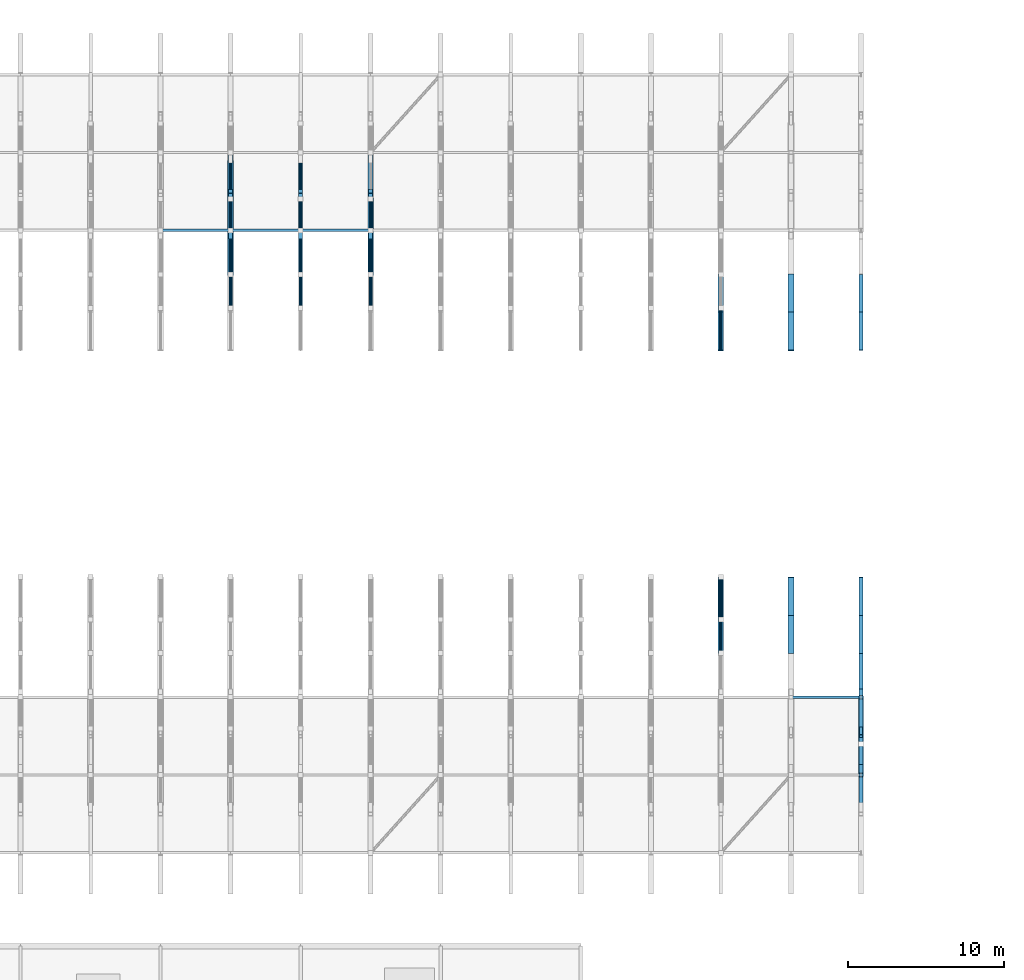
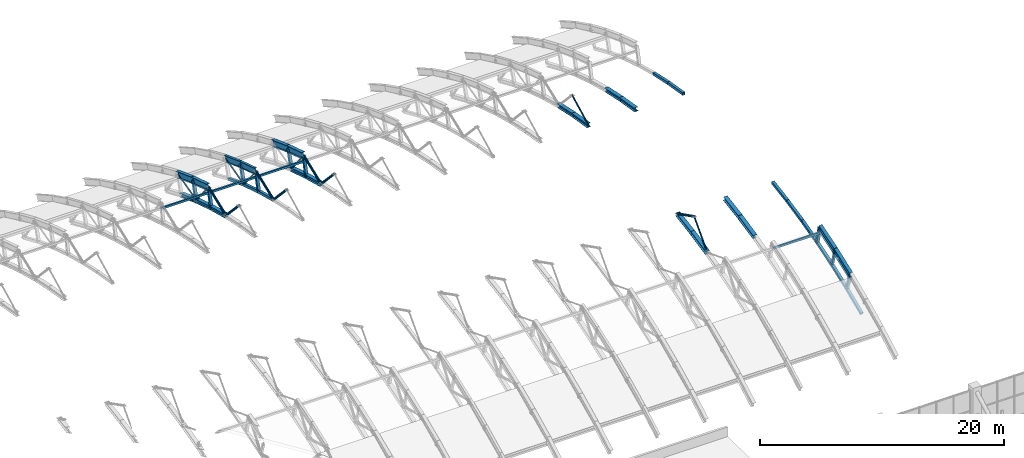
# One storey, part 68 of 103: 51 members, 8 beams.
"""IFC4 building model written with IfcOpenShell, lengths in metres."""

from ifc_helpers import new_model, si_unit, direction, frame, origin, origin_2d, place, context, subcontext, project, spatial, hollow_rectangle, hollow_circle, i_section, extrude, material, material_profile, profile_set, type_object, element, save


model = new_model("IFC4")

# Units and contexts
model_context = context("Model", 3, precision=1e-05, world=origin(), true_north=direction((0.0, 1.0)))
body_context = subcontext(model_context, "Body", "Model", "MODEL_VIEW")
ifc_project = project(units=[si_unit("LENGTHUNIT", "METRE"), si_unit("AREAUNIT", "SQUARE_METRE"), si_unit("VOLUMEUNIT", "CUBIC_METRE"), si_unit("PLANEANGLEUNIT", "RADIAN"), si_unit("MASSUNIT", "GRAM", prefix="KILO")], contexts=[model_context])

# Site, building, storey
site_placement = place(None, origin())
site = spatial("IfcSite", under=ifc_project, at=site_placement, CompositionType="ELEMENT")
building_placement = place(site_placement, origin())
building = spatial("IfcBuilding", under=site, at=building_placement, Name="Cazmaro Siding Exhibition Halls", CompositionType="ELEMENT")
storey_placement = place(building_placement, frame((0.0, 0.0, 16.5)))
storey = spatial("IfcBuildingStorey", under=building, at=storey_placement, Name="L03", CompositionType="ELEMENT", Elevation=16.5)

# Beams
ifc_material_1 = material(Name="Steel ASTM A992 Grade 50", Category="steel")
ifc_material_profile_1 = material_profile(ifc_material_1, i_section(OverallWidth=0.327880859375, OverallDepth=0.626953125, WebThickness=0.01708984375, FlangeThickness=0.028076171875, at=origin_2d()), Name="W24X146")
ifc_profile_set_1 = profile_set([ifc_material_profile_1], Name="Steel ASTM A992 Grade 50")
beam_type_1 = type_object("IfcBeamType", Name="AR-01", PredefinedType="USERDEFINED", material=ifc_profile_set_1)
beam_1_placement = place(storey_placement, frame((139.5, 109.0, 4.85498046875), z_axis=(0.0, 0.952769241759, -0.303695195811), x_axis=(-1.0, 0.0, 0.0)))
element("IfcBeam", 1, at=beam_1_placement, inside=storey, type_object=beam_type_1, Name="Space frame barrel vault arched rib AR-01 BM-1057", ObjectType="ARCHED RIB", PredefinedType="USERDEFINED", context=body_context, shape_type="SweptSolid", body=[
    extrude(i_section(OverallWidth=0.327880859375, OverallDepth=0.626953125, WebThickness=0.01708984375, FlangeThickness=0.028076171875, at=origin_2d()), origin(), (0.0, 0.0, 1.0), 2.6240234375),
])
beam_2_placement = place(storey_placement, frame((139.5, 111.5, 4.05810546875), z_axis=(0.0, 0.936509460339, -0.350642311615), x_axis=(-1.0, 0.0, 0.0)))
element("IfcBeam", 2, at=beam_2_placement, inside=storey, type_object=beam_type_1, Name="Space frame barrel vault arched rib AR-01 BM-1058", ObjectType="ARCHED RIB", PredefinedType="USERDEFINED", context=body_context, shape_type="SweptSolid", body=[
    extrude(i_section(OverallWidth=0.327880859375, OverallDepth=0.626953125, WebThickness=0.01708984375, FlangeThickness=0.028076171875, at=origin_2d()), origin(), (0.0, 0.0, 1.0), 2.66943359375),
])
ifc_material_2 = material(Name="Steel ASTM A992 Grade 50", Category="steel")
ifc_material_profile_2 = material_profile(ifc_material_2, i_section(OverallWidth=0.324951171875, OverallDepth=0.612060546875, WebThickness=0.012939453125, FlangeThickness=0.01904296875, at=origin_2d()), Name="W24X104")
ifc_profile_set_2 = profile_set([ifc_material_profile_2], Name="Steel ASTM A992 Grade 50")
beam_type_2 = type_object("IfcBeamType", Name="AR-02", PredefinedType="USERDEFINED", material=ifc_profile_set_2)
beam_3_placement = place(storey_placement, frame((130.5, 109.0, 4.85498046875), z_axis=(0.0, 0.952769241759, -0.303695195811), x_axis=(-1.0, 0.0, 0.0)))
element("IfcBeam", 3, at=beam_3_placement, inside=storey, type_object=beam_type_2, Name="Space frame barrel vault arched rib AR-02 BM-1009", ObjectType="ARCHED RIB", PredefinedType="USERDEFINED", context=body_context, shape_type="SweptSolid", body=[
    extrude(i_section(OverallWidth=0.324951171875, OverallDepth=0.612060546875, WebThickness=0.012939453125, FlangeThickness=0.01904296875, at=origin_2d()), origin(), (0.0, 0.0, 1.0), 2.6240234375),
])
for number, where, z_axis, x_axis, name in (
    (4, (130.5, 111.5, 4.05810546875), (0.0, 0.936509460339, -0.350642311615), (-1.0, 0.0, 0.0), "Space frame barrel vault arched rib AR-02 BM-1010"),
    (5, (171.0, 74.0, 3.1220703125), (0.0, 0.936509460339, 0.350642311615), (-1.0, 0.0, 0.0), "Space frame barrel vault arched rib AR-02 BM-1211"),
):
    element("IfcBeam", number, at=place(storey_placement, frame(where, z_axis=z_axis, x_axis=x_axis)), inside=storey, type_object=beam_type_2, Name=name, ObjectType="ARCHED RIB", PredefinedType="USERDEFINED", context=body_context, shape_type="SweptSolid", body=[
        extrude(i_section(OverallWidth=0.324951171875, OverallDepth=0.612060546875, WebThickness=0.012939453125, FlangeThickness=0.01904296875, at=origin_2d()), origin(), (0.0, 0.0, 1.0), 2.66943359375),
    ])
beam_4_placement = place(storey_placement, frame((171.0, 76.5, 4.05810546875), z_axis=(0.0, 0.952769241759, 0.303695195811), x_axis=(-1.0, 0.0, 0.0)))
element("IfcBeam", 6, at=beam_4_placement, inside=storey, type_object=beam_type_2, Name="Space frame barrel vault arched rib AR-02 BM-1212", ObjectType="ARCHED RIB", PredefinedType="USERDEFINED", context=body_context, shape_type="SweptSolid", body=[
    extrude(i_section(OverallWidth=0.324951171875, OverallDepth=0.612060546875, WebThickness=0.012939453125, FlangeThickness=0.01904296875, at=origin_2d()), origin(), (0.0, 0.0, 1.0), 2.6240234375),
])
ifc_material_3 = material(Name="Steel ASTM A992 Grade 50", Category="steel")
ifc_material_profile_3 = material_profile(ifc_material_3, i_section(OverallWidth=0.22900390625, OverallDepth=0.612060546875, WebThickness=0.011962890625, FlangeThickness=0.02001953125, at=origin_2d()), Name="W24X84")
ifc_profile_set_3 = profile_set([ifc_material_profile_3], Name="Steel ASTM A992 Grade 50")
beam_type_3 = type_object("IfcBeamType", Name="AR-03", PredefinedType="USERDEFINED", material=ifc_profile_set_3)
beam_5_placement = place(storey_placement, frame((135.0, 109.0, 4.85498046875), z_axis=(0.0, 0.952769241759, -0.303695195811), x_axis=(-1.0, 0.0, 0.0)))
element("IfcBeam", 7, at=beam_5_placement, inside=storey, type_object=beam_type_3, Name="Space frame barrel vault arched rib AR-03 BM-1033", ObjectType="ARCHED RIB", PredefinedType="USERDEFINED", context=body_context, shape_type="SweptSolid", body=[
    extrude(i_section(OverallWidth=0.22900390625, OverallDepth=0.612060546875, WebThickness=0.011962890625, FlangeThickness=0.02001953125, at=origin_2d()), origin(), (0.0, 0.0, 1.0), 2.6240234375),
])
beam_6_placement = place(storey_placement, frame((135.0, 111.5, 4.05810546875), z_axis=(0.0, 0.936509460339, -0.350642311615), x_axis=(-1.0, 0.0, 0.0)))
element("IfcBeam", 8, at=beam_6_placement, inside=storey, type_object=beam_type_3, Name="Space frame barrel vault arched rib AR-03 BM-1034", ObjectType="ARCHED RIB", PredefinedType="USERDEFINED", context=body_context, shape_type="SweptSolid", body=[
    extrude(i_section(OverallWidth=0.22900390625, OverallDepth=0.612060546875, WebThickness=0.011962890625, FlangeThickness=0.02001953125, at=origin_2d()), origin(), (0.0, 0.0, 1.0), 2.66943359375),
])

# Members
ifc_material_4 = material(Name="Steel ASTM A500 Grade C", Category="steel")
ifc_material_profile_4 = material_profile(ifc_material_4, hollow_rectangle(XDim=0.152099609375, YDim=0.202880859375, WallThickness=0.011962890625, at=origin_2d()), Name="HSS8X6X1/2")
ifc_profile_set_4 = profile_set([ifc_material_profile_4], Name="Steel ASTM A500 Grade C")
member_type_1 = type_object("IfcMemberType", Name="RP-01", PredefinedType="PURLIN", material=ifc_profile_set_4)
for number, where, z_axis, x_axis, name in (
    (9, (126.0, 109.0, 4.31494140625), (1.0, 0.0, 0.0), (0.0, 1.0, 0.0), "Space frame barrel vault purlin RP-01 MEM-2188"),
    (10, (130.5, 109.0, 4.31494140625), (1.0, 0.0, 0.0), (0.0, 1.0, 0.0), "Space frame barrel vault purlin RP-01 MEM-2199"),
    (11, (135.0, 109.0, 4.31494140625), (1.0, 0.0, 0.0), (0.0, 1.0, 0.0), "Space frame barrel vault purlin RP-01 MEM-2210"),
    (12, (166.5, 79.0, 4.31494140625), (1.0, 0.0, 0.0), (0.0, 1.0, 0.0), "Space frame barrel vault purlin RP-01 MEM-2293"),
):
    element("IfcMember", number, at=place(storey_placement, frame(where, z_axis=z_axis, x_axis=x_axis)), inside=storey, type_object=member_type_1, Name=name, PredefinedType="PURLIN", context=body_context, shape_type="SweptSolid", body=[
        extrude(hollow_rectangle(XDim=0.152099609375, YDim=0.202880859375, WallThickness=0.011962890625, at=origin_2d()), origin(), (0.0, 0.0, 1.0), 4.5),
    ])
ifc_material_5 = material(Name="Steel ASTM A500 Grade C", Category="steel")
ifc_material_profile_5 = material_profile(ifc_material_5, hollow_rectangle(XDim=0.25390625, YDim=0.25390625, WallThickness=0.014892578125, at=origin_2d()), Name="HSS10X10X5/8")
ifc_profile_set_5 = profile_set([ifc_material_profile_5], Name="Steel ASTM A500 Grade C")
member_type_2 = type_object("IfcMemberType", Name="TC-01", PredefinedType="CHORD", material=ifc_profile_set_5)
member_1_placement = place(storey_placement, frame((135.0, 106.14990234375, 3.760986328125), z_axis=(0.0, 0.966437683387, -0.256901156343), x_axis=(-1.0, 0.0, 0.0)))
element("IfcMember", 13, at=member_1_placement, inside=storey, type_object=member_type_2, Name="Space frame barrel vault bottom chord TC-01 MEM-1407", PredefinedType="CHORD", context=body_context, shape_type="SweptSolid", body=[
    extrude(hollow_rectangle(XDim=0.25390625, YDim=0.25390625, WallThickness=0.014892578125, at=origin_2d()), origin(), (0.0, 0.0, 1.0), 2.5146484375),
])
member_2_placement = place(storey_placement, frame((135.0, 108.580078125, 3.114990234375), z_axis=(0.0, 0.952692842525, -0.303934775573), x_axis=(-1.0, 0.0, 0.0)))
element("IfcMember", 14, at=member_2_placement, inside=storey, type_object=member_type_2, Name="Space frame barrel vault bottom chord TC-01 MEM-1409", PredefinedType="CHORD", context=body_context, shape_type="SweptSolid", body=[
    extrude(hollow_rectangle(XDim=0.25390625, YDim=0.25390625, WallThickness=0.014892578125, at=origin_2d()), origin(), (0.0, 0.0, 1.0), 2.549560546875),
])
member_3_placement = place(storey_placement, frame((135.0, 111.009033203125, 2.340087890625), z_axis=(0.0, 0.936588022869, -0.350432412053), x_axis=(-1.0, 0.0, 0.0)))
element("IfcMember", 15, at=member_3_placement, inside=storey, type_object=member_type_2, Name="Space frame barrel vault bottom chord TC-01 MEM-1411", PredefinedType="CHORD", context=body_context, shape_type="SweptSolid", body=[
    extrude(hollow_rectangle(XDim=0.25390625, YDim=0.25390625, WallThickness=0.014892578125, at=origin_2d()), origin(), (0.0, 0.0, 1.0), 2.594482421875),
])
member_4_placement = place(storey_placement, frame((171.0, 72.131103515625, 0.37890625), z_axis=(0.0, 0.917689003843, 0.397299499403), x_axis=(-1.0, 0.0, 0.0)))
element("IfcMember", 16, at=member_4_placement, inside=storey, type_object=member_type_2, Name="Space frame barrel vault bottom chord TC-01 MEM-1920", PredefinedType="CHORD", context=body_context, shape_type="SweptSolid", body=[
    extrude(hollow_rectangle(XDim=0.25390625, YDim=0.25390625, WallThickness=0.014892578125, at=origin_2d()), origin(), (0.0, 0.0, 1.0), 2.64794921875),
])
member_5_placement = place(storey_placement, frame((171.0, 74.56103515625, 1.430908203125), z_axis=(0.0, 0.936588022869, 0.350432412053), x_axis=(-1.0, 0.0, 0.0)))
element("IfcMember", 17, at=member_5_placement, inside=storey, type_object=member_type_2, Name="Space frame barrel vault bottom chord TC-01 MEM-1921", PredefinedType="CHORD", context=body_context, shape_type="SweptSolid", body=[
    extrude(hollow_rectangle(XDim=0.25390625, YDim=0.25390625, WallThickness=0.014892578125, at=origin_2d()), origin(), (0.0, 0.0, 1.0), 2.594482421875),
])
member_6_placement = place(storey_placement, frame((171.0, 76.990966796875, 2.340087890625), z_axis=(0.0, 0.952692842525, 0.303934775573), x_axis=(-1.0, 0.0, 0.0)))
element("IfcMember", 18, at=member_6_placement, inside=storey, type_object=member_type_2, Name="Space frame barrel vault bottom chord TC-01 MEM-1922", PredefinedType="CHORD", context=body_context, shape_type="SweptSolid", body=[
    extrude(hollow_rectangle(XDim=0.25390625, YDim=0.25390625, WallThickness=0.014892578125, at=origin_2d()), origin(), (0.0, 0.0, 1.0), 2.549560546875),
])
member_7_placement = place(storey_placement, frame((171.0, 79.419921875, 3.114990234375), z_axis=(0.0, 0.966437683387, 0.256901156343), x_axis=(-1.0, 0.0, 0.0)))
element("IfcMember", 19, at=member_7_placement, inside=storey, type_object=member_type_2, Name="Space frame barrel vault bottom chord TC-01 MEM-1923", PredefinedType="CHORD", context=body_context, shape_type="SweptSolid", body=[
    extrude(hollow_rectangle(XDim=0.25390625, YDim=0.25390625, WallThickness=0.014892578125, at=origin_2d()), origin(), (0.0, 0.0, 1.0), 2.5146484375),
])
member_8_placement = place(storey_placement, frame((171.0, 81.85009765625, 3.760986328125), z_axis=(0.0, 0.977697351532, 0.210018782033), x_axis=(-1.0, 0.0, 0.0)))
element("IfcMember", 20, at=member_8_placement, inside=storey, type_object=member_type_2, Name="Space frame barrel vault bottom chord TC-01 MEM-1924", PredefinedType="CHORD", context=body_context, shape_type="SweptSolid", body=[
    extrude(hollow_rectangle(XDim=0.25390625, YDim=0.25390625, WallThickness=0.014892578125, at=origin_2d()), origin(), (0.0, 0.0, 1.0), 2.4853515625),
])
for number, where, z_axis, x_axis, name in (
    (21, (171.0, 84.280029296875, 4.282958984375), (0.0, 0.986455464336, 0.164029317138), (-1.0, 0.0, 0.0), "Space frame barrel vault bottom chord TC-01 MEM-1925"),
    (22, (171.0, 101.2900390625, 4.68701171875), (0.0, 0.986455464336, -0.164029317138), (-1.0, 0.0, 0.0), "Space frame barrel vault bottom chord TC-01 MEM-1932"),
):
    element("IfcMember", number, at=place(storey_placement, frame(where, z_axis=z_axis, x_axis=x_axis)), inside=storey, type_object=member_type_2, Name=name, PredefinedType="CHORD", context=body_context, shape_type="SweptSolid", body=[
        extrude(hollow_rectangle(XDim=0.25390625, YDim=0.25390625, WallThickness=0.014892578125, at=origin_2d()), origin(), (0.0, 0.0, 1.0), 2.46337890625),
    ])
member_9_placement = place(storey_placement, frame((171.0, 103.719970703125, 4.282958984375), z_axis=(0.0, 0.977697351532, -0.210018782033), x_axis=(-1.0, 0.0, 0.0)))
element("IfcMember", 23, at=member_9_placement, inside=storey, type_object=member_type_2, Name="Space frame barrel vault bottom chord TC-01 MEM-1933", PredefinedType="CHORD", context=body_context, shape_type="SweptSolid", body=[
    extrude(hollow_rectangle(XDim=0.25390625, YDim=0.25390625, WallThickness=0.014892578125, at=origin_2d()), origin(), (0.0, 0.0, 1.0), 2.4853515625),
])
ifc_material_6 = material(Name="Steel ASTM A992 Grade 50", Category="steel")
ifc_material_profile_6 = material_profile(ifc_material_6, i_section(OverallWidth=0.37109375, OverallDepth=0.364013671875, WebThickness=0.012939453125, FlangeThickness=0.02197265625, at=origin_2d()), Name="W14X109")
ifc_profile_set_6 = profile_set([ifc_material_profile_6], Name="Steel ASTM A992 Grade 50")
member_type_3 = type_object("IfcMemberType", Name="TC-06", PredefinedType="CHORD", material=ifc_profile_set_6)
member_10_placement = place(storey_placement, frame((130.5, 106.14990234375, 3.760986328125), z_axis=(0.0, 0.966437683387, -0.256901156343), x_axis=(-1.0, 0.0, 0.0)))
element("IfcMember", 24, at=member_10_placement, inside=storey, type_object=member_type_3, Name="Space frame barrel vault bottom chord TC-06 MEM-1336", PredefinedType="CHORD", context=body_context, shape_type="SweptSolid", body=[
    extrude(i_section(OverallWidth=0.37109375, OverallDepth=0.364013671875, WebThickness=0.012939453125, FlangeThickness=0.02197265625, at=origin_2d()), origin(), (0.0, 0.0, 1.0), 2.5146484375),
])
member_11_placement = place(storey_placement, frame((130.5, 108.580078125, 3.114990234375), z_axis=(0.0, 0.952692842525, -0.303934775573), x_axis=(-1.0, 0.0, 0.0)))
element("IfcMember", 25, at=member_11_placement, inside=storey, type_object=member_type_3, Name="Space frame barrel vault bottom chord TC-06 MEM-1338", PredefinedType="CHORD", context=body_context, shape_type="SweptSolid", body=[
    extrude(i_section(OverallWidth=0.37109375, OverallDepth=0.364013671875, WebThickness=0.012939453125, FlangeThickness=0.02197265625, at=origin_2d()), origin(), (0.0, 0.0, 1.0), 2.549560546875),
])
member_12_placement = place(storey_placement, frame((130.5, 111.009033203125, 2.340087890625), z_axis=(0.0, 0.936588022869, -0.350432412053), x_axis=(-1.0, 0.0, 0.0)))
element("IfcMember", 26, at=member_12_placement, inside=storey, type_object=member_type_3, Name="Space frame barrel vault bottom chord TC-06 MEM-1340", PredefinedType="CHORD", context=body_context, shape_type="SweptSolid", body=[
    extrude(i_section(OverallWidth=0.37109375, OverallDepth=0.364013671875, WebThickness=0.012939453125, FlangeThickness=0.02197265625, at=origin_2d()), origin(), (0.0, 0.0, 1.0), 2.594482421875),
])
member_13_placement = place(storey_placement, frame((139.5, 106.14990234375, 3.760986328125), z_axis=(0.0, 0.966437683387, -0.256901156343), x_axis=(-1.0, 0.0, 0.0)))
element("IfcMember", 27, at=member_13_placement, inside=storey, type_object=member_type_3, Name="Space frame barrel vault bottom chord TC-06 MEM-1478", PredefinedType="CHORD", context=body_context, shape_type="SweptSolid", body=[
    extrude(i_section(OverallWidth=0.37109375, OverallDepth=0.364013671875, WebThickness=0.012939453125, FlangeThickness=0.02197265625, at=origin_2d()), origin(), (0.0, 0.0, 1.0), 2.5146484375),
])
member_14_placement = place(storey_placement, frame((139.5, 108.580078125, 3.114990234375), z_axis=(0.0, 0.952692842525, -0.303934775573), x_axis=(-1.0, 0.0, 0.0)))
element("IfcMember", 28, at=member_14_placement, inside=storey, type_object=member_type_3, Name="Space frame barrel vault bottom chord TC-06 MEM-1480", PredefinedType="CHORD", context=body_context, shape_type="SweptSolid", body=[
    extrude(i_section(OverallWidth=0.37109375, OverallDepth=0.364013671875, WebThickness=0.012939453125, FlangeThickness=0.02197265625, at=origin_2d()), origin(), (0.0, 0.0, 1.0), 2.549560546875),
])
member_15_placement = place(storey_placement, frame((162.0, 81.85009765625, 3.760986328125), z_axis=(0.0, 0.977697351532, 0.210018782033), x_axis=(-1.0, 0.0, 0.0)))
element("IfcMember", 29, at=member_15_placement, inside=storey, type_object=member_type_3, Name="Space frame barrel vault bottom chord TC-06 MEM-1813", PredefinedType="CHORD", context=body_context, shape_type="SweptSolid", body=[
    extrude(i_section(OverallWidth=0.37109375, OverallDepth=0.364013671875, WebThickness=0.012939453125, FlangeThickness=0.02197265625, at=origin_2d()), origin(), (0.0, 0.0, 1.0), 2.4853515625),
])
for number, where, z_axis, x_axis, name in (
    (30, (162.0, 84.280029296875, 4.282958984375), (0.0, 0.986455464336, 0.164029317138), (-1.0, 0.0, 0.0), "Space frame barrel vault bottom chord TC-06 MEM-1815"),
    (31, (162.0, 101.2900390625, 4.68701171875), (0.0, 0.986455464336, -0.164029317138), (-1.0, 0.0, 0.0), "Space frame barrel vault bottom chord TC-06 MEM-1829"),
):
    element("IfcMember", number, at=place(storey_placement, frame(where, z_axis=z_axis, x_axis=x_axis)), inside=storey, type_object=member_type_3, Name=name, PredefinedType="CHORD", context=body_context, shape_type="SweptSolid", body=[
        extrude(i_section(OverallWidth=0.37109375, OverallDepth=0.364013671875, WebThickness=0.012939453125, FlangeThickness=0.02197265625, at=origin_2d()), origin(), (0.0, 0.0, 1.0), 2.46337890625),
    ])
for number, where, z_axis, x_axis, name in (
    (32, (162.0, 103.719970703125, 4.282958984375), (0.0, 0.977697351532, -0.210018782033), (-1.0, 0.0, 0.0), "Space frame barrel vault bottom chord TC-06 MEM-1831"),
    (33, (166.5, 81.85009765625, 3.760986328125), (0.0, 0.977697351532, 0.210018782033), (-1.0, 0.0, 0.0), "Space frame barrel vault bottom chord TC-06 MEM-1877"),
):
    element("IfcMember", number, at=place(storey_placement, frame(where, z_axis=z_axis, x_axis=x_axis)), inside=storey, type_object=member_type_3, Name=name, PredefinedType="CHORD", context=body_context, shape_type="SweptSolid", body=[
        extrude(i_section(OverallWidth=0.37109375, OverallDepth=0.364013671875, WebThickness=0.012939453125, FlangeThickness=0.02197265625, at=origin_2d()), origin(), (0.0, 0.0, 1.0), 2.4853515625),
    ])
for number, where, z_axis, x_axis, name in (
    (34, (166.5, 84.280029296875, 4.282958984375), (0.0, 0.986455464336, 0.164029317138), (-1.0, 0.0, 0.0), "Space frame barrel vault bottom chord TC-06 MEM-1878"),
    (35, (166.5, 101.2900390625, 4.68701171875), (0.0, 0.986455464336, -0.164029317138), (-1.0, 0.0, 0.0), "Space frame barrel vault bottom chord TC-06 MEM-1885"),
):
    element("IfcMember", number, at=place(storey_placement, frame(where, z_axis=z_axis, x_axis=x_axis)), inside=storey, type_object=member_type_3, Name=name, PredefinedType="CHORD", context=body_context, shape_type="SweptSolid", body=[
        extrude(i_section(OverallWidth=0.37109375, OverallDepth=0.364013671875, WebThickness=0.012939453125, FlangeThickness=0.02197265625, at=origin_2d()), origin(), (0.0, 0.0, 1.0), 2.46337890625),
    ])
member_16_placement = place(storey_placement, frame((166.5, 103.719970703125, 4.282958984375), z_axis=(0.0, 0.977697351532, -0.210018782033), x_axis=(-1.0, 0.0, 0.0)))
element("IfcMember", 36, at=member_16_placement, inside=storey, type_object=member_type_3, Name="Space frame barrel vault bottom chord TC-06 MEM-1886", PredefinedType="CHORD", context=body_context, shape_type="SweptSolid", body=[
    extrude(i_section(OverallWidth=0.37109375, OverallDepth=0.364013671875, WebThickness=0.012939453125, FlangeThickness=0.02197265625, at=origin_2d()), origin(), (0.0, 0.0, 1.0), 2.4853515625),
])
ifc_material_7 = material(Name="Steel ASTM A500 Grade C", Category="steel")
ifc_material_profile_7 = material_profile(ifc_material_7, hollow_rectangle(XDim=0.202880859375, YDim=0.202880859375, WallThickness=0.011962890625, at=origin_2d()), Name="HSS8X8X1/2")
ifc_profile_set_7 = profile_set([ifc_material_profile_7], Name="Steel ASTM A500 Grade C")
member_type_4 = type_object("IfcMemberType", Name="TP-01", PredefinedType="POST", material=ifc_profile_set_7)
member_17_placement = place(storey_placement, frame((171.0, 76.990966796875, 2.340087890625), z_axis=(0.0, -0.274775266308, 0.961508477875), x_axis=(1.0, 0.0, 0.0)))
element("IfcMember", 37, at=member_17_placement, inside=storey, type_object=member_type_4, Name="Space frame barrel vault post TP-01 MEM-1945", PredefinedType="POST", context=body_context, shape_type="SweptSolid", body=[
    extrude(hollow_rectangle(XDim=0.202880859375, YDim=0.202880859375, WallThickness=0.011962890625, at=origin_2d()), origin(), (0.0, 0.0, 1.0), 1.786865234375),
])
ifc_material_8 = material(Name="Steel ASTM A992 Grade 50", Category="steel")
ifc_material_profile_8 = material_profile(ifc_material_8, i_section(OverallWidth=0.25390625, OverallDepth=0.25390625, WebThickness=0.009033203125, FlangeThickness=0.013916015625, at=origin_2d()), Name="W10X49")
ifc_profile_set_8 = profile_set([ifc_material_profile_8], Name="Steel ASTM A992 Grade 50")
member_type_5 = type_object("IfcMemberType", Name="TP-04", PredefinedType="POST", material=ifc_profile_set_8)
member_18_placement = place(storey_placement, frame((130.5, 108.580078125, 3.114990234375), z_axis=(0.0, 0.234600533729, 0.972091862724), x_axis=(-1.0, 0.0, 0.0)))
element("IfcMember", 38, at=member_18_placement, inside=storey, type_object=member_type_5, Name="Space frame barrel vault post TP-04 MEM-1367", PredefinedType="POST", context=body_context, shape_type="SweptSolid", body=[
    extrude(i_section(OverallWidth=0.25390625, OverallDepth=0.25390625, WebThickness=0.009033203125, FlangeThickness=0.013916015625, at=origin_2d()), origin(), (0.0, 0.0, 1.0), 1.7900390625),
])
member_19_placement = place(storey_placement, frame((130.5, 111.009033203125, 2.340087890625), z_axis=(0.0, 0.274775266308, 0.961508477875), x_axis=(-1.0, 0.0, 0.0)))
element("IfcMember", 39, at=member_19_placement, inside=storey, type_object=member_type_5, Name="Space frame barrel vault post TP-04 MEM-1368", PredefinedType="POST", context=body_context, shape_type="SweptSolid", body=[
    extrude(i_section(OverallWidth=0.25390625, OverallDepth=0.25390625, WebThickness=0.009033203125, FlangeThickness=0.013916015625, at=origin_2d()), origin(), (0.0, 0.0, 1.0), 1.786865234375),
])
member_20_placement = place(storey_placement, frame((135.0, 108.580078125, 3.114990234375), z_axis=(0.0, 0.234600533729, 0.972091862724), x_axis=(-1.0, 0.0, 0.0)))
element("IfcMember", 40, at=member_20_placement, inside=storey, type_object=member_type_5, Name="Space frame barrel vault post TP-04 MEM-1438", PredefinedType="POST", context=body_context, shape_type="SweptSolid", body=[
    extrude(i_section(OverallWidth=0.25390625, OverallDepth=0.25390625, WebThickness=0.009033203125, FlangeThickness=0.013916015625, at=origin_2d()), origin(), (0.0, 0.0, 1.0), 1.7900390625),
])
member_21_placement = place(storey_placement, frame((135.0, 111.009033203125, 2.340087890625), z_axis=(0.0, 0.274775266308, 0.961508477875), x_axis=(-1.0, 0.0, 0.0)))
element("IfcMember", 41, at=member_21_placement, inside=storey, type_object=member_type_5, Name="Space frame barrel vault post TP-04 MEM-1439", PredefinedType="POST", context=body_context, shape_type="SweptSolid", body=[
    extrude(i_section(OverallWidth=0.25390625, OverallDepth=0.25390625, WebThickness=0.009033203125, FlangeThickness=0.013916015625, at=origin_2d()), origin(), (0.0, 0.0, 1.0), 1.786865234375),
])
member_22_placement = place(storey_placement, frame((139.5, 108.580078125, 3.114990234375), z_axis=(0.0, 0.234600533729, 0.972091862724), x_axis=(-1.0, 0.0, 0.0)))
element("IfcMember", 42, at=member_22_placement, inside=storey, type_object=member_type_5, Name="Space frame barrel vault post TP-04 MEM-1509", PredefinedType="POST", context=body_context, shape_type="SweptSolid", body=[
    extrude(i_section(OverallWidth=0.25390625, OverallDepth=0.25390625, WebThickness=0.009033203125, FlangeThickness=0.013916015625, at=origin_2d()), origin(), (0.0, 0.0, 1.0), 1.7900390625),
])
member_23_placement = place(storey_placement, frame((139.5, 111.009033203125, 2.340087890625), z_axis=(0.0, 0.274775266308, 0.961508477875), x_axis=(-1.0, 0.0, 0.0)))
element("IfcMember", 43, at=member_23_placement, inside=storey, type_object=member_type_5, Name="Space frame barrel vault post TP-04 MEM-1510", PredefinedType="POST", context=body_context, shape_type="SweptSolid", body=[
    extrude(i_section(OverallWidth=0.25390625, OverallDepth=0.25390625, WebThickness=0.009033203125, FlangeThickness=0.013916015625, at=origin_2d()), origin(), (0.0, 0.0, 1.0), 1.786865234375),
])
member_24_placement = place(storey_placement, frame((171.0, 74.56103515625, 1.430908203125), z_axis=(0.0, -0.314870949103, 0.949134492794), x_axis=(1.0, 0.0, 0.0)))
element("IfcMember", 44, at=member_24_placement, inside=storey, type_object=member_type_5, Name="Space frame barrel vault post TP-04 MEM-1944", PredefinedType="POST", context=body_context, shape_type="SweptSolid", body=[
    extrude(i_section(OverallWidth=0.25390625, OverallDepth=0.25390625, WebThickness=0.009033203125, FlangeThickness=0.013916015625, at=origin_2d()), origin(), (0.0, 0.0, 1.0), 1.78173828125),
])
member_25_placement = place(storey_placement, frame((171.0, 79.419921875, 3.114990234375), z_axis=(0.0, -0.234600533729, 0.972091862724), x_axis=(1.0, 0.0, 0.0)))
element("IfcMember", 45, at=member_25_placement, inside=storey, type_object=member_type_5, Name="Space frame barrel vault post TP-04 MEM-1946", PredefinedType="POST", context=body_context, shape_type="SweptSolid", body=[
    extrude(i_section(OverallWidth=0.25390625, OverallDepth=0.25390625, WebThickness=0.009033203125, FlangeThickness=0.013916015625, at=origin_2d()), origin(), (0.0, 0.0, 1.0), 1.7900390625),
])
ifc_material_9 = material(Name="Steel ASTM A500 Grade C", Category="steel")
ifc_material_profile_9 = material_profile(ifc_material_9, hollow_circle(Radius=0.109619140625, WallThickness=0.012939453125, at=origin_2d()), Name="PIPE8XS")
ifc_profile_set_9 = profile_set([ifc_material_profile_9], Name="Steel ASTM A500 Grade C")
member_type_6 = type_object("IfcMemberType", Name="WB-01", PredefinedType="BRACE", material=ifc_profile_set_9)
member_26_placement = place(storey_placement, frame((130.5, 104.0, 6.056884765625), z_axis=(0.0, 0.683517575744, -0.729934054315), x_axis=(-1.0, 0.0, 0.0)))
element("IfcMember", 46, at=member_26_placement, inside=storey, type_object=member_type_6, Name="Space frame barrel vault diagonal WB-01 MEM-1335", PredefinedType="BRACE", context=body_context, shape_type="SweptSolid", body=[
    extrude(hollow_circle(Radius=0.109619140625, WallThickness=0.012939453125, at=origin_2d()), origin(), (0.0, 0.0, 1.0), 3.145263671875),
])
member_27_placement = place(storey_placement, frame((130.5, 106.14990234375, 3.760986328125), z_axis=(0.0, 0.933586546586, 0.358352005761), x_axis=(-1.0, 0.0, 0.0)))
element("IfcMember", 47, at=member_27_placement, inside=storey, type_object=member_type_6, Name="Space frame barrel vault diagonal WB-01 MEM-1337", PredefinedType="BRACE", context=body_context, shape_type="SweptSolid", body=[
    extrude(hollow_circle(Radius=0.109619140625, WallThickness=0.012939453125, at=origin_2d()), origin(), (0.0, 0.0, 1.0), 3.052734375),
])
member_28_placement = place(storey_placement, frame((135.0, 104.0, 6.056884765625), z_axis=(0.0, 0.683517575744, -0.729934054315), x_axis=(-1.0, 0.0, 0.0)))
element("IfcMember", 48, at=member_28_placement, inside=storey, type_object=member_type_6, Name="Space frame barrel vault diagonal WB-01 MEM-1406", PredefinedType="BRACE", context=body_context, shape_type="SweptSolid", body=[
    extrude(hollow_circle(Radius=0.109619140625, WallThickness=0.012939453125, at=origin_2d()), origin(), (0.0, 0.0, 1.0), 3.145263671875),
])
member_29_placement = place(storey_placement, frame((135.0, 106.14990234375, 3.760986328125), z_axis=(0.0, 0.933586546586, 0.358352005761), x_axis=(-1.0, 0.0, 0.0)))
element("IfcMember", 49, at=member_29_placement, inside=storey, type_object=member_type_6, Name="Space frame barrel vault diagonal WB-01 MEM-1408", PredefinedType="BRACE", context=body_context, shape_type="SweptSolid", body=[
    extrude(hollow_circle(Radius=0.109619140625, WallThickness=0.012939453125, at=origin_2d()), origin(), (0.0, 0.0, 1.0), 3.052734375),
])
member_30_placement = place(storey_placement, frame((139.5, 104.0, 6.056884765625), z_axis=(0.0, 0.683517575744, -0.729934054315), x_axis=(-1.0, 0.0, 0.0)))
element("IfcMember", 50, at=member_30_placement, inside=storey, type_object=member_type_6, Name="Space frame barrel vault diagonal WB-01 MEM-1477", PredefinedType="BRACE", context=body_context, shape_type="SweptSolid", body=[
    extrude(hollow_circle(Radius=0.109619140625, WallThickness=0.012939453125, at=origin_2d()), origin(), (0.0, 0.0, 1.0), 3.145263671875),
])
member_31_placement = place(storey_placement, frame((139.5, 106.14990234375, 3.760986328125), z_axis=(0.0, 0.933586546586, 0.358352005761), x_axis=(-1.0, 0.0, 0.0)))
element("IfcMember", 51, at=member_31_placement, inside=storey, type_object=member_type_6, Name="Space frame barrel vault diagonal WB-01 MEM-1479", PredefinedType="BRACE", context=body_context, shape_type="SweptSolid", body=[
    extrude(hollow_circle(Radius=0.109619140625, WallThickness=0.012939453125, at=origin_2d()), origin(), (0.0, 0.0, 1.0), 3.052734375),
])
member_32_placement = place(storey_placement, frame((162.0, 84.0, 6.056884765625), z_axis=(0.0, 0.892456788218, -0.451132886369), x_axis=(-1.0, 0.0, 0.0)))
element("IfcMember", 52, at=member_32_placement, inside=storey, type_object=member_type_6, Name="Space frame barrel vault diagonal WB-01 MEM-1816", PredefinedType="BRACE", context=body_context, shape_type="SweptSolid", body=[
    extrude(hollow_circle(Radius=0.109619140625, WallThickness=0.012939453125, at=origin_2d()), origin(), (0.0, 0.0, 1.0), 3.03662109375),
])
ifc_material_10 = material(Name="Steel ASTM A500 Grade C", Category="steel")
ifc_material_profile_10 = material_profile(ifc_material_10, hollow_circle(Radius=0.070556640625, WallThickness=0.01904296875, at=origin_2d()), Name="PIPE5XXS")
ifc_profile_set_10 = profile_set([ifc_material_profile_10], Name="Steel ASTM A500 Grade C")
member_type_7 = type_object("IfcMemberType", Name="WB-07", PredefinedType="BRACE", material=ifc_profile_set_10)
member_33_placement = place(storey_placement, frame((130.5, 109.0, 4.85498046875), z_axis=(0.0, 0.624149162907, -0.781305204412), x_axis=(-1.0, 0.0, 0.0)))
element("IfcMember", 53, at=member_33_placement, inside=storey, type_object=member_type_7, Name="Space frame barrel vault diagonal WB-07 MEM-1339", PredefinedType="BRACE", context=body_context, shape_type="SweptSolid", body=[
    extrude(hollow_circle(Radius=0.070556640625, WallThickness=0.01904296875, at=origin_2d()), origin(), (0.0, 0.0, 1.0), 3.21875),
])
member_34_placement = place(storey_placement, frame((130.5, 111.009033203125, 2.340087890625), z_axis=(0.0, 0.967480432857, 0.252945867802), x_axis=(-1.0, 0.0, 0.0)))
element("IfcMember", 54, at=member_34_placement, inside=storey, type_object=member_type_7, Name="Space frame barrel vault diagonal WB-07 MEM-1341", PredefinedType="BRACE", context=body_context, shape_type="SweptSolid", body=[
    extrude(hollow_circle(Radius=0.070556640625, WallThickness=0.01904296875, at=origin_2d()), origin(), (0.0, 0.0, 1.0), 3.091552734375),
])
member_35_placement = place(storey_placement, frame((135.0, 109.0, 4.85498046875), z_axis=(0.0, 0.624149162907, -0.781305204412), x_axis=(-1.0, 0.0, 0.0)))
element("IfcMember", 55, at=member_35_placement, inside=storey, type_object=member_type_7, Name="Space frame barrel vault diagonal WB-07 MEM-1410", PredefinedType="BRACE", context=body_context, shape_type="SweptSolid", body=[
    extrude(hollow_circle(Radius=0.070556640625, WallThickness=0.01904296875, at=origin_2d()), origin(), (0.0, 0.0, 1.0), 3.21875),
])
member_36_placement = place(storey_placement, frame((135.0, 111.009033203125, 2.340087890625), z_axis=(0.0, 0.967480432857, 0.252945867802), x_axis=(-1.0, 0.0, 0.0)))
element("IfcMember", 56, at=member_36_placement, inside=storey, type_object=member_type_7, Name="Space frame barrel vault diagonal WB-07 MEM-1412", PredefinedType="BRACE", context=body_context, shape_type="SweptSolid", body=[
    extrude(hollow_circle(Radius=0.070556640625, WallThickness=0.01904296875, at=origin_2d()), origin(), (0.0, 0.0, 1.0), 3.091552734375),
])
member_37_placement = place(storey_placement, frame((139.5, 109.0, 4.85498046875), z_axis=(0.0, 0.624149162907, -0.781305204412), x_axis=(-1.0, 0.0, 0.0)))
element("IfcMember", 57, at=member_37_placement, inside=storey, type_object=member_type_7, Name="Space frame barrel vault diagonal WB-07 MEM-1481", PredefinedType="BRACE", context=body_context, shape_type="SweptSolid", body=[
    extrude(hollow_circle(Radius=0.070556640625, WallThickness=0.01904296875, at=origin_2d()), origin(), (0.0, 0.0, 1.0), 3.21875),
])
member_38_placement = place(storey_placement, frame((162.0, 81.85009765625, 3.760986328125), z_axis=(0.0, 0.683517575744, 0.729934054315), x_axis=(-1.0, 0.0, 0.0)))
element("IfcMember", 58, at=member_38_placement, inside=storey, type_object=member_type_7, Name="Space frame barrel vault diagonal WB-07 MEM-1814", PredefinedType="BRACE", context=body_context, shape_type="SweptSolid", body=[
    extrude(hollow_circle(Radius=0.070556640625, WallThickness=0.01904296875, at=origin_2d()), origin(), (0.0, 0.0, 1.0), 3.145263671875),
])
member_39_placement = place(storey_placement, frame((162.0, 101.2900390625, 4.68701171875), z_axis=(0.0, 0.892456788218, 0.451132886369), x_axis=(-1.0, 0.0, 0.0)))
element("IfcMember", 59, at=member_39_placement, inside=storey, type_object=member_type_7, Name="Space frame barrel vault diagonal WB-07 MEM-1830", PredefinedType="BRACE", context=body_context, shape_type="SweptSolid", body=[
    extrude(hollow_circle(Radius=0.070556640625, WallThickness=0.01904296875, at=origin_2d()), origin(), (0.0, 0.0, 1.0), 3.03662109375),
])

save(model, "model.ifc")
